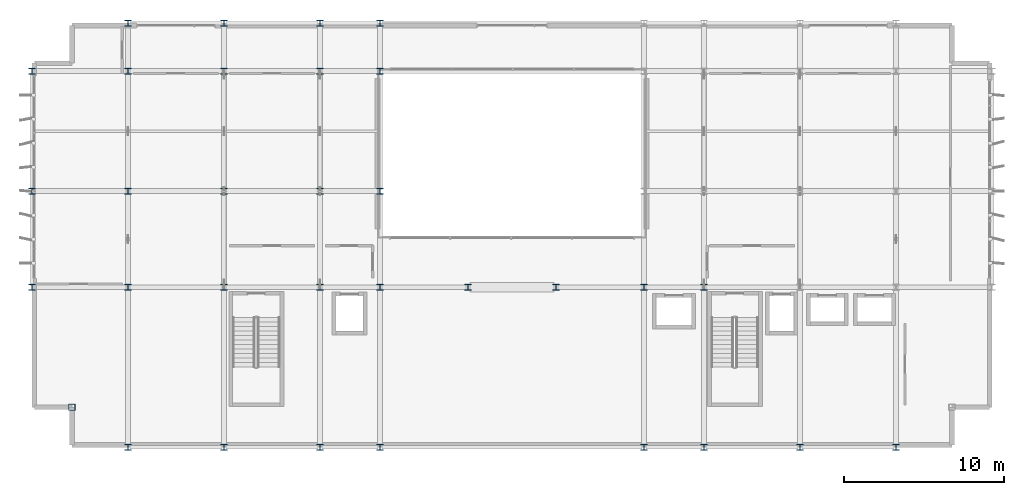
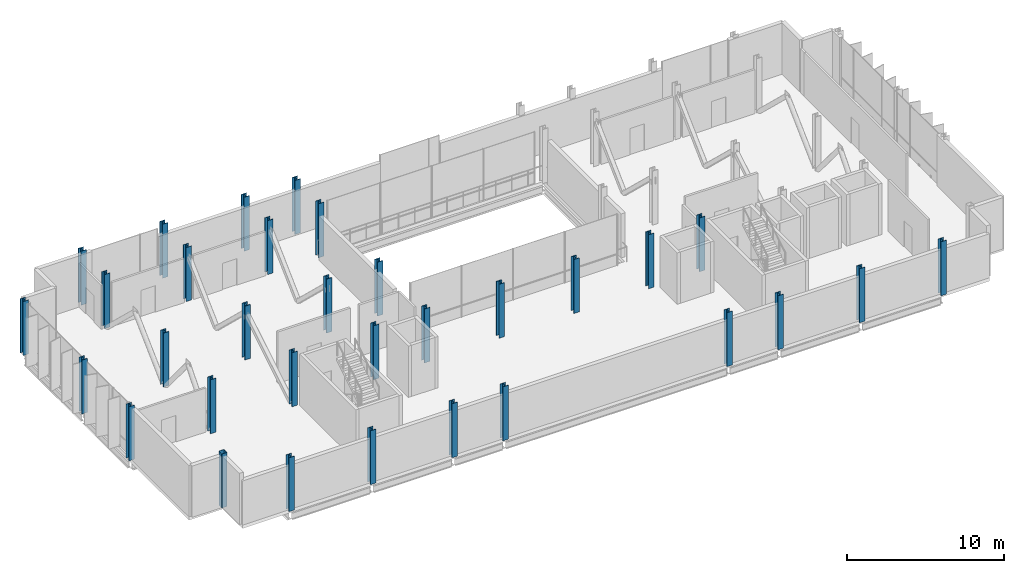
# One storey, part 1 of 33: 32 columns.
"""IFC4 building model written with IfcOpenShell, lengths in metres."""

from ifc_helpers import new_model, si_unit, direction, frame, origin, origin_2d, place, context, subcontext, project, spatial, hollow_rectangle, i_section, extrude, material, material_profile, profile_set, type_object, element, save


model = new_model("IFC4")

# Units and contexts
model_context = context("Model", 3, precision=1e-05, world=origin(), true_north=direction((0.0, 1.0)))
body_context = subcontext(model_context, "Body", "Model", "MODEL_VIEW")
ifc_project = project(units=[si_unit("LENGTHUNIT", "METRE"), si_unit("AREAUNIT", "SQUARE_METRE"), si_unit("VOLUMEUNIT", "CUBIC_METRE"), si_unit("PLANEANGLEUNIT", "RADIAN"), si_unit("MASSUNIT", "GRAM", prefix="KILO")], contexts=[model_context])

# Site, building, storey
site_placement = place(None, origin())
site = spatial("IfcSite", under=ifc_project, at=site_placement, CompositionType="ELEMENT")
building_placement = place(site_placement, origin())
building = spatial("IfcBuilding", under=site, at=building_placement, Name="Brevholm Reach", CompositionType="ELEMENT")
storey_placement = place(building_placement, frame((0.0, 0.0, 179.0)))
storey = spatial("IfcBuildingStorey", under=building, at=storey_placement, Name="L54", CompositionType="ELEMENT", Elevation=179.0)

# Columns
ifc_material_1 = material(Name="Structural Steel S460NH", Category="steel")
ifc_material_profile_1 = material_profile(ifc_material_1, hollow_rectangle(XDim=0.39990234375, YDim=0.39990234375, WallThickness=0.02001953125, InnerFilletRadius=0.011962890625, OuterFilletRadius=0.02392578125, at=origin_2d()), Name="SHS 400x400x20")
ifc_profile_set_1 = profile_set([ifc_material_profile_1], Name="Structural Steel S460NH")
column_type_1 = type_object("IfcColumnType", Name="COL-SHS2", PredefinedType="COLUMN", material=ifc_profile_set_1)
column_placement = place(storey_placement, frame((2.5, 2.5, 0.0), z_axis=(0.0, 0.0, 1.0), x_axis=(1.0, 0.0, 0.0)))
element("IfcColumn", 1, at=column_placement, inside=storey, type_object=column_type_1, Name="L54 Column 04", PredefinedType="COLUMN", context=body_context, shape_type="SweptSolid", body=[
    extrude(hollow_rectangle(XDim=0.39990234375, YDim=0.39990234375, WallThickness=0.02001953125, InnerFilletRadius=0.011962890625, OuterFilletRadius=0.02392578125, at=origin_2d()), origin(), (0.0, 0.0, 1.0), 4.199951171875),
])
ifc_material_2 = material(Name="Structural Steel S355J2", Category="steel")
ifc_material_profile_2 = material_profile(ifc_material_2, i_section(OverallWidth=0.39892578125, OverallDepth=0.3935546875, WebThickness=0.022705078125, FlangeThickness=0.03662109375, FilletRadius=0.01513671875, at=origin_2d()), Name="UKC 356x406x287")
ifc_profile_set_2 = profile_set([ifc_material_profile_2], Name="Structural Steel S355J2")
column_type_2 = type_object("IfcColumnType", Name="COL-UC5B", PredefinedType="COLUMN", material=ifc_profile_set_2)
for number, where, z_axis, x_axis, name in (
    (2, (0.0, 10.0, 0.0), (0.0, 0.0, 1.0), (1.0, 0.0, 0.0), "L54 Column 01"),
    (3, (0.0, 16.0, 0.0), (0.0, 0.0, 1.0), (1.0, 0.0, 0.0), "L54 Column 02"),
    (4, (0.0, 23.5, 0.0), (0.0, 0.0, 1.0), (1.0, 0.0, 0.0), "L54 Column 03"),
    (5, (6.0, 0.0, 0.0), (0.0, 0.0, 1.0), (1.0, 0.0, 0.0), "L54 Column 05"),
    (6, (6.0, 10.0, 0.0), (0.0, 0.0, 1.0), (1.0, 0.0, 0.0), "L54 Column 06"),
    (7, (6.0, 16.0, 0.0), (0.0, 0.0, 1.0), (1.0, 0.0, 0.0), "L54 Column 07"),
    (8, (6.0, 23.5, 0.0), (0.0, 0.0, 1.0), (1.0, 0.0, 0.0), "L54 Column 08"),
    (9, (6.0, 26.5, 0.0), (0.0, 0.0, 1.0), (1.0, 0.0, 0.0), "L54 Column 09"),
    (10, (12.0, 0.0, 0.0), (0.0, 0.0, 1.0), (1.0, 0.0, 0.0), "L54 Column 10"),
    (11, (12.0, 10.0, 0.0), (0.0, 0.0, 1.0), (1.0, 0.0, 0.0), "L54 Column 11"),
    (12, (12.0, 16.0, 0.0), (0.0, 0.0, 1.0), (1.0, 0.0, 0.0), "L54 Column 12"),
    (13, (12.0, 23.5, 0.0), (0.0, 0.0, 1.0), (1.0, 0.0, 0.0), "L54 Column 13"),
    (14, (12.0, 26.5, 0.0), (0.0, 0.0, 1.0), (1.0, 0.0, 0.0), "L54 Column 14"),
    (15, (18.0, 0.0, 0.0), (0.0, 0.0, 1.0), (1.0, 0.0, 0.0), "L54 Column 15"),
    (16, (18.0, 10.0, 0.0), (0.0, 0.0, 1.0), (1.0, 0.0, 0.0), "L54 Column 16"),
    (17, (18.0, 16.0, 0.0), (0.0, 0.0, 1.0), (1.0, 0.0, 0.0), "L54 Column 17"),
    (18, (18.0, 23.5, 0.0), (0.0, 0.0, 1.0), (1.0, 0.0, 0.0), "L54 Column 18"),
    (19, (18.0, 26.5, 0.0), (0.0, 0.0, 1.0), (1.0, 0.0, 0.0), "L54 Column 19"),
    (20, (21.75, 0.0, 0.0), (0.0, 0.0, 1.0), (1.0, 0.0, 0.0), "L54 Column 20"),
    (21, (21.75, 10.0, 0.0), (0.0, 0.0, 1.0), (1.0, 0.0, 0.0), "L54 Column 21"),
    (22, (21.75, 16.0, 0.0), (0.0, 0.0, 1.0), (1.0, 0.0, 0.0), "L54 Column 22"),
    (23, (21.75, 23.5, 0.0), (0.0, 0.0, 1.0), (1.0, 0.0, 0.0), "L54 Column 23"),
    (24, (21.75, 26.5, 0.0), (0.0, 0.0, 1.0), (1.0, 0.0, 0.0), "L54 Column 24"),
    (25, (27.25, 10.0, 0.0), (0.0, 0.0, 1.0), (1.0, 0.0, 0.0), "L54 Column 25"),
    (26, (32.75, 10.0, 0.0), (0.0, 0.0, 1.0), (1.0, 0.0, 0.0), "L54 Column 26"),
    (27, (38.25, 0.0, 0.0), (0.0, 0.0, 1.0), (1.0, 0.0, 0.0), "L54 Column 27"),
    (28, (38.25, 10.0, 0.0), (0.0, 0.0, 1.0), (1.0, 0.0, 0.0), "L54 Column 28"),
    (29, (42.0, 0.0, 0.0), (0.0, 0.0, 1.0), (1.0, 0.0, 0.0), "L54 Column 32"),
    (30, (42.0, 10.0, 0.0), (0.0, 0.0, 1.0), (1.0, 0.0, 0.0), "L54 Column 33"),
    (31, (48.0, 0.0, 0.0), (0.0, 0.0, 1.0), (1.0, 0.0, 0.0), "L54 Column 37"),
    (32, (54.0, 0.0, 0.0), (0.0, 0.0, 1.0), (1.0, 0.0, 0.0), "L54 Column 42"),
):
    element("IfcColumn", number, at=place(storey_placement, frame(where, z_axis=z_axis, x_axis=x_axis)), inside=storey, type_object=column_type_2, Name=name, PredefinedType="COLUMN", context=body_context, shape_type="SweptSolid", body=[
        extrude(i_section(OverallWidth=0.39892578125, OverallDepth=0.3935546875, WebThickness=0.022705078125, FlangeThickness=0.03662109375, FilletRadius=0.01513671875, at=origin_2d()), origin(), (0.0, 0.0, 1.0), 4.199951171875),
    ])

save(model, "model.ifc")
